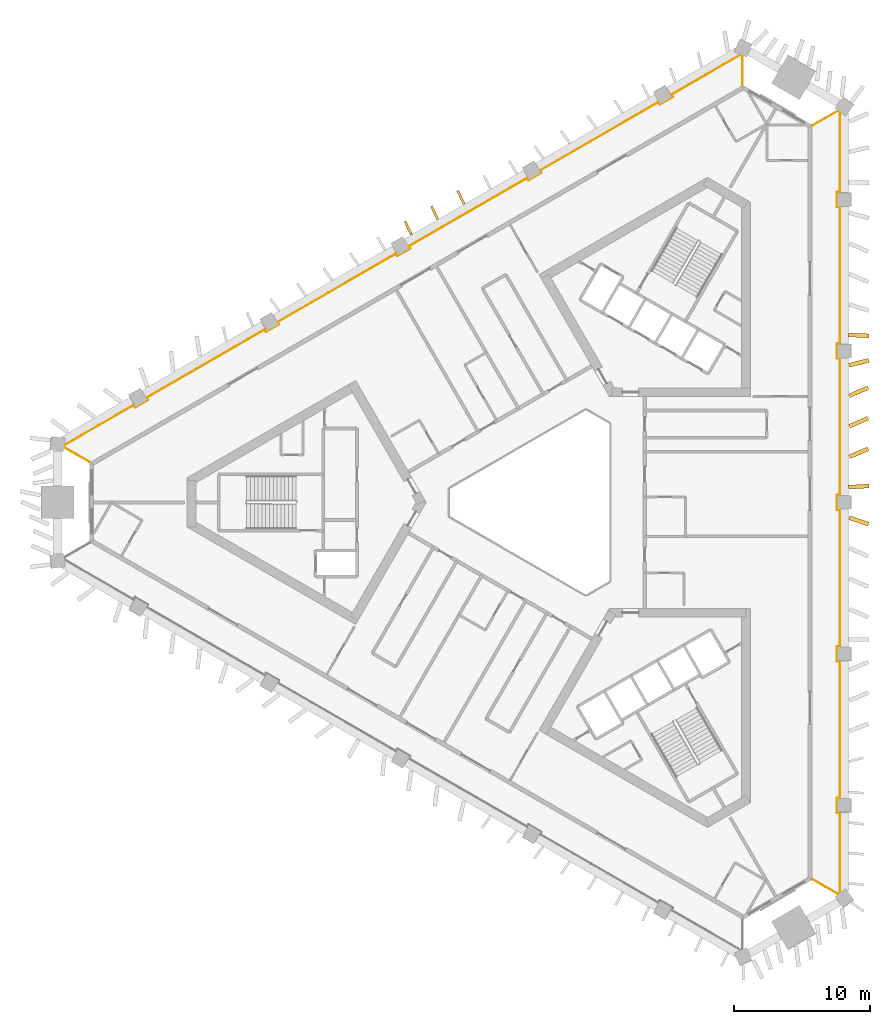
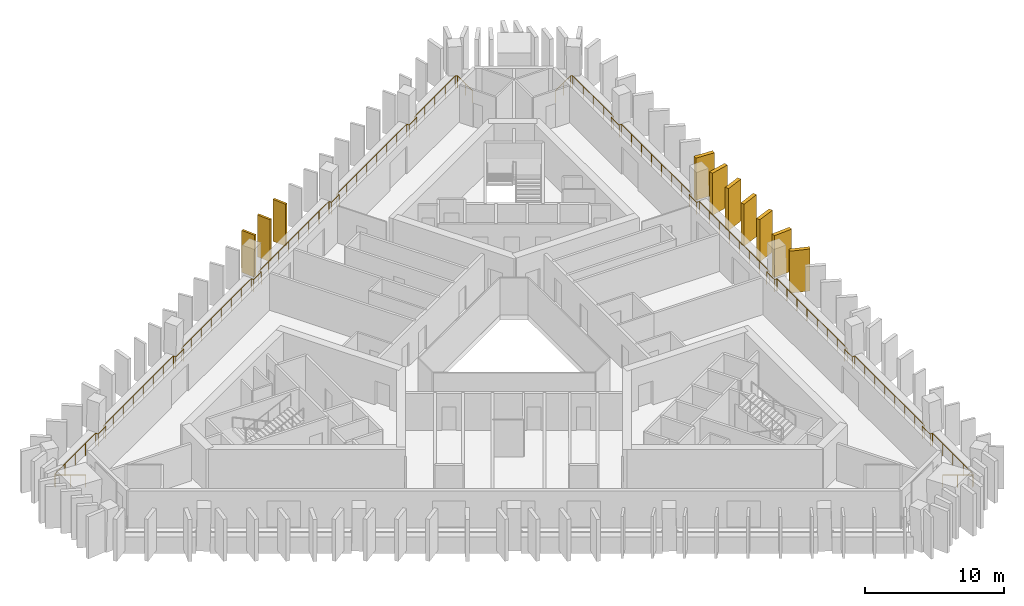
# One storey, part 9 of 10: 10 shading devices, 2 railings.
"""IFC4 building model written with IfcOpenShell, lengths in metres."""

from ifc_helpers import new_model, si_unit, direction, frame, frame_2d, origin, origin_2d, place, context, subcontext, project, spatial, rectangle, circle, extrude, material, layer, layer_set, type_object, element, save


model = new_model("IFC4")

# Units and contexts
model_context = context("Model", 3, precision=1e-05, world=origin(), true_north=direction((0.0, 1.0)))
body_context = subcontext(model_context, "Body", "Model", "MODEL_VIEW")
ifc_project = project(units=[si_unit("LENGTHUNIT", "METRE"), si_unit("AREAUNIT", "SQUARE_METRE"), si_unit("VOLUMEUNIT", "CUBIC_METRE"), si_unit("PLANEANGLEUNIT", "RADIAN"), si_unit("MASSUNIT", "GRAM", prefix="KILO")], contexts=[model_context])

# Site, building, storey
site_placement = place(None, origin())
site = spatial("IfcSite", under=ifc_project, at=site_placement, CompositionType="ELEMENT")
building_placement = place(site_placement, origin())
building = spatial("IfcBuilding", under=site, at=building_placement, Name="Jabali Bay Hotel Tower and Convention Centre", CompositionType="ELEMENT")
storey_placement = place(building_placement, frame((0.0, 0.0, 140.10009765625)))
storey = spatial("IfcBuildingStorey", under=building, at=storey_placement, Name="L34", CompositionType="ELEMENT", Elevation=140.10009765625)

# Railings
ifc_material_1 = material(Name="Glass", Category="glass")
railing_type = type_object("IfcRailingType", Name="Loggia glass guard 1100", PredefinedType="BALUSTRADE", material=ifc_material_1)
railing_1_placement = place(storey_placement, frame((94.477294921875, 107.77490234375, 0.0)))
element("IfcRailing", 1, at=railing_1_placement, inside=storey, type_object=railing_type, Name="Loggia glass guard L34", PredefinedType="BALUSTRADE", context=body_context, shape_type="SweptSolid", body=[
    extrude(circle(Radius=0.02490234375, at=origin_2d()), frame((0.0, 0.0, 1.0751953125), z_axis=(0.866007213464, 0.500031505235, 0.0), x_axis=(-0.495753666391, 0.858598401702, 0.13052619222)), (0.0, 0.0, 1.0), 2.165283203125),
    extrude(circle(Radius=0.02490234375, at=origin_2d()), frame((1.875244140625, 1.082763671875, 1.0751953125), z_axis=(0.800939455023, -0.598745346025, 0.0), x_axis=(0.593622996588, 0.794087306954, 0.13052619222)), (0.0, 0.0, 1.0), 0.15576171875),
    extrude(circle(Radius=0.02490234375, at=origin_2d()), frame((2.0, 0.989501953125, 1.0751953125), z_axis=(0.0, -1.0, 0.0), x_axis=(0.991444861374, 0.0, 0.13052619222)), (0.0, 0.0, 1.0), 5.882568359375),
    extrude(circle(Radius=0.02490234375, at=origin_2d()), frame((2.0, -4.89306640625, 1.0751953125), z_axis=(-1.0, 0.0, 0.0), x_axis=(0.0, -0.991444861374, 0.13052619222)), (0.0, 0.0, 1.0), 0.2001953125),
    extrude(circle(Radius=0.02490234375, at=origin_2d()), frame((1.7998046875, -4.89306640625, 1.0751953125), z_axis=(0.0, -1.0, 0.0), x_axis=(0.991444861374, 0.0, 0.13052619222)), (0.0, 0.0, 1.0), 1.10009765625),
    extrude(circle(Radius=0.02490234375, at=origin_2d()), frame((1.7998046875, -5.9931640625, 1.0751953125), z_axis=(1.0, 0.0, 0.0), x_axis=(0.0, 0.991444861374, 0.13052619222)), (0.0, 0.0, 1.0), 0.2001953125),
    extrude(circle(Radius=0.02490234375, at=origin_2d()), frame((2.0, -5.9931640625, 1.0751953125), z_axis=(0.0, -1.0, 0.0), x_axis=(0.991444861374, 0.0, 0.13052619222)), (0.0, 0.0, 1.0), 10.06591796875),
    extrude(circle(Radius=0.02490234375, at=origin_2d()), frame((2.0, -16.05908203125, 1.0751953125), z_axis=(-1.0, 0.0, 0.0), x_axis=(0.0, -0.991444861374, 0.13052619222)), (0.0, 0.0, 1.0), 0.2001953125),
    extrude(circle(Radius=0.02490234375, at=origin_2d()), frame((1.7998046875, -16.05908203125, 1.0751953125), z_axis=(0.0, -1.0, 0.0), x_axis=(0.991444861374, 0.0, 0.13052619222)), (0.0, 0.0, 1.0), 1.099853515625),
    extrude(circle(Radius=0.02490234375, at=origin_2d()), frame((1.7998046875, -17.158935546875, 1.0751953125), z_axis=(1.0, 0.0, 0.0), x_axis=(0.0, 0.991444861374, 0.13052619222)), (0.0, 0.0, 1.0), 0.2001953125),
    extrude(circle(Radius=0.02490234375, at=origin_2d()), frame((2.0, -17.158935546875, 1.0751953125), z_axis=(0.0, -1.0, 0.0), x_axis=(0.991444861374, 0.0, 0.13052619222)), (0.0, 0.0, 1.0), 10.06591796875),
    extrude(circle(Radius=0.02490234375, at=origin_2d()), frame((2.0, -27.224853515625, 1.0751953125), z_axis=(-1.0, 0.0, 0.0), x_axis=(0.0, -0.991444861374, 0.13052619222)), (0.0, 0.0, 1.0), 0.2001953125),
    extrude(circle(Radius=0.02490234375, at=origin_2d()), frame((1.7998046875, -27.224853515625, 1.0751953125), z_axis=(0.0, -1.0, 0.0), x_axis=(0.991444861374, 0.0, 0.13052619222)), (0.0, 0.0, 1.0), 1.10009765625),
    extrude(circle(Radius=0.02490234375, at=origin_2d()), frame((1.7998046875, -28.324951171875, 1.0751953125), z_axis=(1.0, 0.0, 0.0), x_axis=(0.0, 0.991444861374, 0.13052619222)), (0.0, 0.0, 1.0), 0.2001953125),
    extrude(circle(Radius=0.02490234375, at=origin_2d()), frame((2.0, -28.324951171875, 1.0751953125), z_axis=(0.0, -1.0, 0.0), x_axis=(0.991444861374, 0.0, 0.13052619222)), (0.0, 0.0, 1.0), 10.06591796875),
    extrude(circle(Radius=0.02490234375, at=origin_2d()), frame((2.0, -38.390869140625, 1.0751953125), z_axis=(-1.0, 0.0, 0.0), x_axis=(0.0, -0.991444861374, 0.13052619222)), (0.0, 0.0, 1.0), 0.2001953125),
    extrude(circle(Radius=0.02490234375, at=origin_2d()), frame((1.7998046875, -38.390869140625, 1.0751953125), z_axis=(0.0, -1.0, 0.0), x_axis=(0.991444861374, 0.0, 0.13052619222)), (0.0, 0.0, 1.0), 1.099853515625),
    extrude(circle(Radius=0.02490234375, at=origin_2d()), frame((1.7998046875, -39.49072265625, 1.0751953125), z_axis=(1.0, 0.0, 0.0), x_axis=(0.0, 0.991444861374, 0.13052619222)), (0.0, 0.0, 1.0), 0.2001953125),
    extrude(circle(Radius=0.02490234375, at=origin_2d()), frame((2.0, -39.49072265625, 1.0751953125), z_axis=(0.0, -1.0, 0.0), x_axis=(0.991444861374, 0.0, 0.13052619222)), (0.0, 0.0, 1.0), 10.06591796875),
    extrude(circle(Radius=0.02490234375, at=origin_2d()), frame((2.0, -49.556640625, 1.0751953125), z_axis=(-1.0, 0.0, 0.0), x_axis=(0.0, -0.991444861374, 0.13052619222)), (0.0, 0.0, 1.0), 0.2001953125),
    extrude(circle(Radius=0.02490234375, at=origin_2d()), frame((1.7998046875, -49.556640625, 1.0751953125), z_axis=(0.0, -1.0, 0.0), x_axis=(0.991444861374, 0.0, 0.13052619222)), (0.0, 0.0, 1.0), 1.10009765625),
    extrude(circle(Radius=0.02490234375, at=origin_2d()), frame((1.7998046875, -50.65673828125, 1.0751953125), z_axis=(1.0, 0.0, 0.0), x_axis=(0.0, 0.991444861374, 0.13052619222)), (0.0, 0.0, 1.0), 0.2001953125),
    extrude(circle(Radius=0.02490234375, at=origin_2d()), frame((2.0, -50.65673828125, 1.0751953125), z_axis=(0.0, -1.0, 0.0), x_axis=(0.991444861374, 0.0, 0.13052619222)), (0.0, 0.0, 1.0), 5.882568359375),
    extrude(circle(Radius=0.02490234375, at=origin_2d()), frame((2.0, -56.539306640625, 1.0751953125), z_axis=(-0.800939455023, -0.598745346025, 0.0), x_axis=(0.593622996588, -0.794087306954, 0.13052619222)), (0.0, 0.0, 1.0), 0.15576171875),
    extrude(circle(Radius=0.02490234375, at=origin_2d()), frame((1.875244140625, -56.632568359375, 1.0751953125), z_axis=(-0.866007213464, 0.500031505235, 0.0), x_axis=(-0.495753666391, -0.858598401702, 0.13052619222)), (0.0, 0.0, 1.0), 2.165283203125),
    extrude(circle(Radius=0.02001953125, at=origin_2d()), origin(), (0.0, 0.0, 1.0), 1.050048828125),
    extrude(circle(Radius=0.02001953125, at=origin_2d()), frame((0.9375, 0.54150390625, 0.0)), (0.0, 0.0, 1.0), 1.050048828125),
    extrude(circle(Radius=0.02001953125, at=origin_2d()), frame((1.875244140625, 1.082763671875, 0.0)), (0.0, 0.0, 1.0), 1.050048828125),
    extrude(circle(Radius=0.02001953125, at=origin_2d()), frame((2.0, 0.989501953125, 0.0)), (0.0, 0.0, 1.0), 1.050048828125),
    extrude(circle(Radius=0.02001953125, at=origin_2d()), frame((2.0, -0.481201171875, 0.0)), (0.0, 0.0, 1.0), 1.050048828125),
    extrude(circle(Radius=0.02001953125, at=origin_2d()), frame((2.0, -1.95166015625, 0.0)), (0.0, 0.0, 1.0), 1.050048828125),
    extrude(circle(Radius=0.02001953125, at=origin_2d()), frame((2.0, -3.42236328125, 0.0)), (0.0, 0.0, 1.0), 1.050048828125),
    extrude(circle(Radius=0.02001953125, at=origin_2d()), frame((2.0, -4.89306640625, 0.0)), (0.0, 0.0, 1.0), 1.050048828125),
    extrude(circle(Radius=0.02001953125, at=origin_2d()), frame((1.7998046875, -4.89306640625, 0.0)), (0.0, 0.0, 1.0), 1.050048828125),
    extrude(circle(Radius=0.02001953125, at=origin_2d()), frame((1.7998046875, -5.9931640625, 0.0)), (0.0, 0.0, 1.0), 1.050048828125),
    extrude(circle(Radius=0.02001953125, at=origin_2d()), frame((2.0, -5.9931640625, 0.0)), (0.0, 0.0, 1.0), 1.050048828125),
    extrude(circle(Radius=0.02001953125, at=origin_2d()), frame((2.0, -7.43115234375, 0.0)), (0.0, 0.0, 1.0), 1.050048828125),
    extrude(circle(Radius=0.02001953125, at=origin_2d()), frame((2.0, -8.869140625, 0.0)), (0.0, 0.0, 1.0), 1.050048828125),
    extrude(circle(Radius=0.02001953125, at=origin_2d()), frame((2.0, -10.30712890625, 0.0)), (0.0, 0.0, 1.0), 1.050048828125),
    extrude(circle(Radius=0.02001953125, at=origin_2d()), frame((2.0, -11.7451171875, 0.0)), (0.0, 0.0, 1.0), 1.050048828125),
    extrude(circle(Radius=0.02001953125, at=origin_2d()), frame((2.0, -13.18310546875, 0.0)), (0.0, 0.0, 1.0), 1.050048828125),
    extrude(circle(Radius=0.02001953125, at=origin_2d()), frame((2.0, -14.62109375, 0.0)), (0.0, 0.0, 1.0), 1.050048828125),
    extrude(circle(Radius=0.02001953125, at=origin_2d()), frame((2.0, -16.05908203125, 0.0)), (0.0, 0.0, 1.0), 1.050048828125),
    extrude(circle(Radius=0.02001953125, at=origin_2d()), frame((1.7998046875, -16.05908203125, 0.0)), (0.0, 0.0, 1.0), 1.050048828125),
    extrude(circle(Radius=0.02001953125, at=origin_2d()), frame((1.7998046875, -17.158935546875, 0.0)), (0.0, 0.0, 1.0), 1.050048828125),
    extrude(circle(Radius=0.02001953125, at=origin_2d()), frame((2.0, -17.158935546875, 0.0)), (0.0, 0.0, 1.0), 1.050048828125),
    extrude(circle(Radius=0.02001953125, at=origin_2d()), frame((2.0, -18.596923828125, 0.0)), (0.0, 0.0, 1.0), 1.050048828125),
    extrude(circle(Radius=0.02001953125, at=origin_2d()), frame((2.0, -20.034912109375, 0.0)), (0.0, 0.0, 1.0), 1.050048828125),
    extrude(circle(Radius=0.02001953125, at=origin_2d()), frame((2.0, -21.472900390625, 0.0)), (0.0, 0.0, 1.0), 1.050048828125),
    extrude(circle(Radius=0.02001953125, at=origin_2d()), frame((2.0, -22.910888671875, 0.0)), (0.0, 0.0, 1.0), 1.050048828125),
    extrude(circle(Radius=0.02001953125, at=origin_2d()), frame((2.0, -24.348876953125, 0.0)), (0.0, 0.0, 1.0), 1.050048828125),
    extrude(circle(Radius=0.02001953125, at=origin_2d()), frame((2.0, -25.786865234375, 0.0)), (0.0, 0.0, 1.0), 1.050048828125),
    extrude(circle(Radius=0.02001953125, at=origin_2d()), frame((2.0, -27.224853515625, 0.0)), (0.0, 0.0, 1.0), 1.050048828125),
    extrude(circle(Radius=0.02001953125, at=origin_2d()), frame((1.7998046875, -27.224853515625, 0.0)), (0.0, 0.0, 1.0), 1.050048828125),
    extrude(circle(Radius=0.02001953125, at=origin_2d()), frame((1.7998046875, -28.324951171875, 0.0)), (0.0, 0.0, 1.0), 1.050048828125),
    extrude(circle(Radius=0.02001953125, at=origin_2d()), frame((2.0, -28.324951171875, 0.0)), (0.0, 0.0, 1.0), 1.050048828125),
    extrude(circle(Radius=0.02001953125, at=origin_2d()), frame((2.0, -29.762939453125, 0.0)), (0.0, 0.0, 1.0), 1.050048828125),
    extrude(circle(Radius=0.02001953125, at=origin_2d()), frame((2.0, -31.200927734375, 0.0)), (0.0, 0.0, 1.0), 1.050048828125),
    extrude(circle(Radius=0.02001953125, at=origin_2d()), frame((2.0, -32.638916015625, 0.0)), (0.0, 0.0, 1.0), 1.050048828125),
    extrude(circle(Radius=0.02001953125, at=origin_2d()), frame((2.0, -34.076904296875, 0.0)), (0.0, 0.0, 1.0), 1.050048828125),
    extrude(circle(Radius=0.02001953125, at=origin_2d()), frame((2.0, -35.514892578125, 0.0)), (0.0, 0.0, 1.0), 1.050048828125),
    extrude(circle(Radius=0.02001953125, at=origin_2d()), frame((2.0, -36.952880859375, 0.0)), (0.0, 0.0, 1.0), 1.050048828125),
    extrude(circle(Radius=0.02001953125, at=origin_2d()), frame((2.0, -38.390869140625, 0.0)), (0.0, 0.0, 1.0), 1.050048828125),
    extrude(circle(Radius=0.02001953125, at=origin_2d()), frame((1.7998046875, -38.390869140625, 0.0)), (0.0, 0.0, 1.0), 1.050048828125),
    extrude(circle(Radius=0.02001953125, at=origin_2d()), frame((1.7998046875, -39.49072265625, 0.0)), (0.0, 0.0, 1.0), 1.050048828125),
    extrude(circle(Radius=0.02001953125, at=origin_2d()), frame((2.0, -39.49072265625, 0.0)), (0.0, 0.0, 1.0), 1.050048828125),
    extrude(circle(Radius=0.02001953125, at=origin_2d()), frame((2.0, -40.9287109375, 0.0)), (0.0, 0.0, 1.0), 1.050048828125),
    extrude(circle(Radius=0.02001953125, at=origin_2d()), frame((2.0, -42.36669921875, 0.0)), (0.0, 0.0, 1.0), 1.050048828125),
    extrude(circle(Radius=0.02001953125, at=origin_2d()), frame((2.0, -43.8046875, 0.0)), (0.0, 0.0, 1.0), 1.050048828125),
    extrude(circle(Radius=0.02001953125, at=origin_2d()), frame((2.0, -45.24267578125, 0.0)), (0.0, 0.0, 1.0), 1.050048828125),
    extrude(circle(Radius=0.02001953125, at=origin_2d()), frame((2.0, -46.6806640625, 0.0)), (0.0, 0.0, 1.0), 1.050048828125),
    extrude(circle(Radius=0.02001953125, at=origin_2d()), frame((2.0, -48.11865234375, 0.0)), (0.0, 0.0, 1.0), 1.050048828125),
    extrude(circle(Radius=0.02001953125, at=origin_2d()), frame((2.0, -49.556640625, 0.0)), (0.0, 0.0, 1.0), 1.050048828125),
    extrude(circle(Radius=0.02001953125, at=origin_2d()), frame((1.7998046875, -49.556640625, 0.0)), (0.0, 0.0, 1.0), 1.050048828125),
    extrude(circle(Radius=0.02001953125, at=origin_2d()), frame((1.7998046875, -50.65673828125, 0.0)), (0.0, 0.0, 1.0), 1.050048828125),
    extrude(circle(Radius=0.02001953125, at=origin_2d()), frame((2.0, -50.65673828125, 0.0)), (0.0, 0.0, 1.0), 1.050048828125),
    extrude(circle(Radius=0.02001953125, at=origin_2d()), frame((2.0, -52.12744140625, 0.0)), (0.0, 0.0, 1.0), 1.050048828125),
    extrude(circle(Radius=0.02001953125, at=origin_2d()), frame((2.0, -53.59814453125, 0.0)), (0.0, 0.0, 1.0), 1.050048828125),
    extrude(circle(Radius=0.02001953125, at=origin_2d()), frame((2.0, -55.068603515625, 0.0)), (0.0, 0.0, 1.0), 1.050048828125),
    extrude(circle(Radius=0.02001953125, at=origin_2d()), frame((2.0, -56.539306640625, 0.0)), (0.0, 0.0, 1.0), 1.050048828125),
    extrude(circle(Radius=0.02001953125, at=origin_2d()), frame((1.875244140625, -56.632568359375, 0.0)), (0.0, 0.0, 1.0), 1.050048828125),
    extrude(circle(Radius=0.02001953125, at=origin_2d()), frame((0.9375, -56.09130859375, 0.0)), (0.0, 0.0, 1.0), 1.050048828125),
    extrude(circle(Radius=0.02001953125, at=origin_2d()), frame((0.0, -55.5498046875, 0.0)), (0.0, 0.0, 1.0), 1.050048828125),
])
railing_2_placement = place(storey_placement, frame((41.20751953125, 82.980224609375, 0.0)))
element("IfcRailing", 2, at=railing_2_placement, inside=storey, type_object=railing_type, Name="Loggia glass guard L34", PredefinedType="BALUSTRADE", context=body_context, shape_type="SweptSolid", body=[
    extrude(circle(Radius=0.02490234375, at=origin_2d()), frame((0.0, 0.0, 1.0751953125), z_axis=(-0.866007213464, 0.500031505235, 0.0), x_axis=(-0.495753666391, -0.858598401702, 0.13052619222)), (0.0, 0.0, 1.0), 2.165283203125),
    extrude(circle(Radius=0.02490234375, at=origin_2d()), frame((-1.875244140625, 1.082763671875, 1.0751953125), z_axis=(0.119207070312, 0.99286941457, 0.0), x_axis=(-0.98437527909, 0.1181872373, 0.13052619222)), (0.0, 0.0, 1.0), 0.15576171875),
    extrude(circle(Radius=0.02490234375, at=origin_2d()), frame((-1.856689453125, 1.2373046875, 1.0751953125), z_axis=(0.866017641503, 0.500013444425, 0.0), x_axis=(-0.495735760093, 0.858608740527, 0.13052619222)), (0.0, 0.0, 1.0), 5.882568359375),
    extrude(circle(Radius=0.02490234375, at=origin_2d()), frame((3.23779296875, 4.1787109375, 1.0751953125), z_axis=(0.499687197852, -0.866205924883, 0.0), x_axis=(0.858795413117, 0.495412304605, 0.13052619222)), (0.0, 0.0, 1.0), 0.199951171875),
    extrude(circle(Radius=0.02490234375, at=origin_2d()), frame((3.337646484375, 4.005615234375, 1.0751953125), z_axis=(0.866104278045, 0.499863360881, 0.0), x_axis=(-0.495586960535, 0.858694635882, 0.13052619222)), (0.0, 0.0, 1.0), 1.099853515625),
    extrude(circle(Radius=0.02490234375, at=origin_2d()), frame((4.290283203125, 4.555419921875, 1.0751953125), z_axis=(-0.499158860599, 0.866510491504, 0.0), x_axis=(-0.859097374128, -0.49488848735, 0.13052619222)), (0.0, 0.0, 1.0), 0.199951171875),
    extrude(circle(Radius=0.02490234375, at=origin_2d()), frame((4.1904296875, 4.728759765625, 1.0751953125), z_axis=(0.866024024936, 0.500002388228, 0.0), x_axis=(-0.495724798483, 0.858615069349, 0.13052619222)), (0.0, 0.0, 1.0), 10.06591796875),
    extrude(circle(Radius=0.02490234375, at=origin_2d()), frame((12.90771484375, 9.76171875, 1.0751953125), z_axis=(0.499158860599, -0.866510491504, 0.0), x_axis=(0.859097374128, 0.49488848735, 0.13052619222)), (0.0, 0.0, 1.0), 0.199951171875),
    extrude(circle(Radius=0.02490234375, at=origin_2d()), frame((13.007568359375, 9.58837890625, 1.0751953125), z_axis=(0.866008176907, 0.50002983664, 0.0), x_axis=(-0.495752012071, 0.858599356902, 0.13052619222)), (0.0, 0.0, 1.0), 1.10009765625),
    extrude(circle(Radius=0.02490234375, at=origin_2d()), frame((13.960205078125, 10.138427734375, 1.0751953125), z_axis=(-0.499687197852, 0.866205924883, 0.0), x_axis=(-0.858795413117, -0.495412304605, 0.13052619222)), (0.0, 0.0, 1.0), 0.199951171875),
    extrude(circle(Radius=0.02490234375, at=origin_2d()), frame((13.8603515625, 10.3115234375, 1.0751953125), z_axis=(0.866024024936, 0.500002388228, 0.0), x_axis=(-0.495724798483, 0.858615069349, 0.13052619222)), (0.0, 0.0, 1.0), 10.06591796875),
    extrude(circle(Radius=0.02490234375, at=origin_2d()), frame((22.57763671875, 15.344482421875, 1.0751953125), z_axis=(0.499687197852, -0.866205924883, 0.0), x_axis=(0.858795413117, 0.495412304605, 0.13052619222)), (0.0, 0.0, 1.0), 0.199951171875),
    extrude(circle(Radius=0.02490234375, at=origin_2d()), frame((22.677490234375, 15.17138671875, 1.0751953125), z_axis=(0.866008176907, 0.50002983664, 0.0), x_axis=(-0.495752012071, 0.858599356902, 0.13052619222)), (0.0, 0.0, 1.0), 1.10009765625),
    extrude(circle(Radius=0.02490234375, at=origin_2d()), frame((23.630126953125, 15.721435546875, 1.0751953125), z_axis=(-0.499687197852, 0.866205924883, 0.0), x_axis=(-0.858795413117, -0.495412304605, 0.13052619222)), (0.0, 0.0, 1.0), 0.199951171875),
    extrude(circle(Radius=0.02490234375, at=origin_2d()), frame((23.5302734375, 15.89453125, 1.0751953125), z_axis=(0.866024024936, 0.500002388228, 0.0), x_axis=(-0.495724798483, 0.858615069349, 0.13052619222)), (0.0, 0.0, 1.0), 10.06591796875),
    extrude(circle(Radius=0.02490234375, at=origin_2d()), frame((32.24755859375, 20.927490234375, 1.0751953125), z_axis=(0.499687197852, -0.866205924883, 0.0), x_axis=(0.858795413117, 0.495412304605, 0.13052619222)), (0.0, 0.0, 1.0), 0.199951171875),
    extrude(circle(Radius=0.02490234375, at=origin_2d()), frame((32.347412109375, 20.75439453125, 1.0751953125), z_axis=(0.866104278045, 0.499863360881, 0.0), x_axis=(-0.495586960535, 0.858694635882, 0.13052619222)), (0.0, 0.0, 1.0), 1.099853515625),
    extrude(circle(Radius=0.02490234375, at=origin_2d()), frame((33.300048828125, 21.30419921875, 1.0751953125), z_axis=(-0.499158860599, 0.866510491504, 0.0), x_axis=(-0.859097374128, -0.49488848735, 0.13052619222)), (0.0, 0.0, 1.0), 0.199951171875),
    extrude(circle(Radius=0.02490234375, at=origin_2d()), frame((33.2001953125, 21.4775390625, 1.0751953125), z_axis=(0.866024024936, 0.500002388228, 0.0), x_axis=(-0.495724798483, 0.858615069349, 0.13052619222)), (0.0, 0.0, 1.0), 10.06591796875),
    extrude(circle(Radius=0.02490234375, at=origin_2d()), frame((41.91748046875, 26.510498046875, 1.0751953125), z_axis=(0.499158860599, -0.866510491504, 0.0), x_axis=(0.859097374128, 0.49488848735, 0.13052619222)), (0.0, 0.0, 1.0), 0.199951171875),
    extrude(circle(Radius=0.02490234375, at=origin_2d()), frame((42.017333984375, 26.337158203125, 1.0751953125), z_axis=(0.866008176907, 0.50002983664, 0.0), x_axis=(-0.495752012071, 0.858599356902, 0.13052619222)), (0.0, 0.0, 1.0), 1.10009765625),
    extrude(circle(Radius=0.02490234375, at=origin_2d()), frame((42.969970703125, 26.88720703125, 1.0751953125), z_axis=(-0.499158860599, 0.866510491504, 0.0), x_axis=(-0.859097374128, -0.49488848735, 0.13052619222)), (0.0, 0.0, 1.0), 0.199951171875),
    extrude(circle(Radius=0.02490234375, at=origin_2d()), frame((42.8701171875, 27.060546875, 1.0751953125), z_axis=(0.866035612436, 0.49998231768, 0.0), x_axis=(-0.495704899641, 0.858626557717, 0.13052619222)), (0.0, 0.0, 1.0), 5.882568359375),
    extrude(circle(Radius=0.02490234375, at=origin_2d()), frame((47.964599609375, 30.001708984375, 1.0751953125), z_axis=(0.919226147347, -0.393729970962, 0.0), x_axis=(0.39036155648, 0.911362040227, 0.13052619222)), (0.0, 0.0, 1.0), 0.155517578125),
    extrude(circle(Radius=0.02490234375, at=origin_2d()), frame((48.107666015625, 29.9404296875, 1.0751953125), z_axis=(0.0, -1.0, 0.0), x_axis=(0.991444861374, 0.0, 0.13052619222)), (0.0, 0.0, 1.0), 2.16552734375),
    extrude(circle(Radius=0.02001953125, at=origin_2d()), origin(), (0.0, 0.0, 1.0), 1.050048828125),
    extrude(circle(Radius=0.02001953125, at=origin_2d()), frame((-0.9375, 0.54150390625, 0.0)), (0.0, 0.0, 1.0), 1.050048828125),
    extrude(circle(Radius=0.02001953125, at=origin_2d()), frame((-1.875244140625, 1.082763671875, 0.0)), (0.0, 0.0, 1.0), 1.050048828125),
    extrude(circle(Radius=0.02001953125, at=origin_2d()), frame((-1.856689453125, 1.2373046875, 0.0)), (0.0, 0.0, 1.0), 1.050048828125),
    extrude(circle(Radius=0.02001953125, at=origin_2d()), frame((-0.5830078125, 1.97265625, 0.0)), (0.0, 0.0, 1.0), 1.050048828125),
    extrude(circle(Radius=0.02001953125, at=origin_2d()), frame((0.6904296875, 2.7080078125, 0.0)), (0.0, 0.0, 1.0), 1.050048828125),
    extrude(circle(Radius=0.02001953125, at=origin_2d()), frame((1.964111328125, 3.443359375, 0.0)), (0.0, 0.0, 1.0), 1.050048828125),
    extrude(circle(Radius=0.02001953125, at=origin_2d()), frame((3.23779296875, 4.1787109375, 0.0)), (0.0, 0.0, 1.0), 1.050048828125),
    extrude(circle(Radius=0.02001953125, at=origin_2d()), frame((3.337646484375, 4.005615234375, 0.0)), (0.0, 0.0, 1.0), 1.050048828125),
    extrude(circle(Radius=0.02001953125, at=origin_2d()), frame((4.290283203125, 4.555419921875, 0.0)), (0.0, 0.0, 1.0), 1.050048828125),
    extrude(circle(Radius=0.02001953125, at=origin_2d()), frame((4.1904296875, 4.728759765625, 0.0)), (0.0, 0.0, 1.0), 1.050048828125),
    extrude(circle(Radius=0.02001953125, at=origin_2d()), frame((5.435791015625, 5.44775390625, 0.0)), (0.0, 0.0, 1.0), 1.050048828125),
    extrude(circle(Radius=0.02001953125, at=origin_2d()), frame((6.68115234375, 6.166748046875, 0.0)), (0.0, 0.0, 1.0), 1.050048828125),
    extrude(circle(Radius=0.02001953125, at=origin_2d()), frame((7.926513671875, 6.8857421875, 0.0)), (0.0, 0.0, 1.0), 1.050048828125),
    extrude(circle(Radius=0.02001953125, at=origin_2d()), frame((9.171630859375, 7.604736328125, 0.0)), (0.0, 0.0, 1.0), 1.050048828125),
    extrude(circle(Radius=0.02001953125, at=origin_2d()), frame((10.4169921875, 8.32373046875, 0.0)), (0.0, 0.0, 1.0), 1.050048828125),
    extrude(circle(Radius=0.02001953125, at=origin_2d()), frame((11.662353515625, 9.042724609375, 0.0)), (0.0, 0.0, 1.0), 1.050048828125),
    extrude(circle(Radius=0.02001953125, at=origin_2d()), frame((12.90771484375, 9.76171875, 0.0)), (0.0, 0.0, 1.0), 1.050048828125),
    extrude(circle(Radius=0.02001953125, at=origin_2d()), frame((13.007568359375, 9.58837890625, 0.0)), (0.0, 0.0, 1.0), 1.050048828125),
    extrude(circle(Radius=0.02001953125, at=origin_2d()), frame((13.960205078125, 10.138427734375, 0.0)), (0.0, 0.0, 1.0), 1.050048828125),
    extrude(circle(Radius=0.02001953125, at=origin_2d()), frame((13.8603515625, 10.3115234375, 0.0)), (0.0, 0.0, 1.0), 1.050048828125),
    extrude(circle(Radius=0.02001953125, at=origin_2d()), frame((15.105712890625, 11.030517578125, 0.0)), (0.0, 0.0, 1.0), 1.050048828125),
    extrude(circle(Radius=0.02001953125, at=origin_2d()), frame((16.35107421875, 11.74951171875, 0.0)), (0.0, 0.0, 1.0), 1.050048828125),
    extrude(circle(Radius=0.02001953125, at=origin_2d()), frame((17.596435546875, 12.468505859375, 0.0)), (0.0, 0.0, 1.0), 1.050048828125),
    extrude(circle(Radius=0.02001953125, at=origin_2d()), frame((18.841552734375, 13.1875, 0.0)), (0.0, 0.0, 1.0), 1.050048828125),
    extrude(circle(Radius=0.02001953125, at=origin_2d()), frame((20.0869140625, 13.906494140625, 0.0)), (0.0, 0.0, 1.0), 1.050048828125),
    extrude(circle(Radius=0.02001953125, at=origin_2d()), frame((21.332275390625, 14.62548828125, 0.0)), (0.0, 0.0, 1.0), 1.050048828125),
    extrude(circle(Radius=0.02001953125, at=origin_2d()), frame((22.57763671875, 15.344482421875, 0.0)), (0.0, 0.0, 1.0), 1.050048828125),
    extrude(circle(Radius=0.02001953125, at=origin_2d()), frame((22.677490234375, 15.17138671875, 0.0)), (0.0, 0.0, 1.0), 1.050048828125),
    extrude(circle(Radius=0.02001953125, at=origin_2d()), frame((23.630126953125, 15.721435546875, 0.0)), (0.0, 0.0, 1.0), 1.050048828125),
    extrude(circle(Radius=0.02001953125, at=origin_2d()), frame((23.5302734375, 15.89453125, 0.0)), (0.0, 0.0, 1.0), 1.050048828125),
    extrude(circle(Radius=0.02001953125, at=origin_2d()), frame((24.775634765625, 16.613525390625, 0.0)), (0.0, 0.0, 1.0), 1.050048828125),
    extrude(circle(Radius=0.02001953125, at=origin_2d()), frame((26.02099609375, 17.33251953125, 0.0)), (0.0, 0.0, 1.0), 1.050048828125),
    extrude(circle(Radius=0.02001953125, at=origin_2d()), frame((27.266357421875, 18.051513671875, 0.0)), (0.0, 0.0, 1.0), 1.050048828125),
    extrude(circle(Radius=0.02001953125, at=origin_2d()), frame((28.511474609375, 18.7705078125, 0.0)), (0.0, 0.0, 1.0), 1.050048828125),
    extrude(circle(Radius=0.02001953125, at=origin_2d()), frame((29.7568359375, 19.489501953125, 0.0)), (0.0, 0.0, 1.0), 1.050048828125),
    extrude(circle(Radius=0.02001953125, at=origin_2d()), frame((31.002197265625, 20.20849609375, 0.0)), (0.0, 0.0, 1.0), 1.050048828125),
    extrude(circle(Radius=0.02001953125, at=origin_2d()), frame((32.24755859375, 20.927490234375, 0.0)), (0.0, 0.0, 1.0), 1.050048828125),
    extrude(circle(Radius=0.02001953125, at=origin_2d()), frame((32.347412109375, 20.75439453125, 0.0)), (0.0, 0.0, 1.0), 1.050048828125),
    extrude(circle(Radius=0.02001953125, at=origin_2d()), frame((33.300048828125, 21.30419921875, 0.0)), (0.0, 0.0, 1.0), 1.050048828125),
    extrude(circle(Radius=0.02001953125, at=origin_2d()), frame((33.2001953125, 21.4775390625, 0.0)), (0.0, 0.0, 1.0), 1.050048828125),
    extrude(circle(Radius=0.02001953125, at=origin_2d()), frame((34.445556640625, 22.196533203125, 0.0)), (0.0, 0.0, 1.0), 1.050048828125),
    extrude(circle(Radius=0.02001953125, at=origin_2d()), frame((35.69091796875, 22.91552734375, 0.0)), (0.0, 0.0, 1.0), 1.050048828125),
    extrude(circle(Radius=0.02001953125, at=origin_2d()), frame((36.936279296875, 23.634521484375, 0.0)), (0.0, 0.0, 1.0), 1.050048828125),
    extrude(circle(Radius=0.02001953125, at=origin_2d()), frame((38.181396484375, 24.353515625, 0.0)), (0.0, 0.0, 1.0), 1.050048828125),
    extrude(circle(Radius=0.02001953125, at=origin_2d()), frame((39.4267578125, 25.072509765625, 0.0)), (0.0, 0.0, 1.0), 1.050048828125),
    extrude(circle(Radius=0.02001953125, at=origin_2d()), frame((40.672119140625, 25.79150390625, 0.0)), (0.0, 0.0, 1.0), 1.050048828125),
    extrude(circle(Radius=0.02001953125, at=origin_2d()), frame((41.91748046875, 26.510498046875, 0.0)), (0.0, 0.0, 1.0), 1.050048828125),
    extrude(circle(Radius=0.02001953125, at=origin_2d()), frame((42.017333984375, 26.337158203125, 0.0)), (0.0, 0.0, 1.0), 1.050048828125),
    extrude(circle(Radius=0.02001953125, at=origin_2d()), frame((42.969970703125, 26.88720703125, 0.0)), (0.0, 0.0, 1.0), 1.050048828125),
    extrude(circle(Radius=0.02001953125, at=origin_2d()), frame((42.8701171875, 27.060546875, 0.0)), (0.0, 0.0, 1.0), 1.050048828125),
    extrude(circle(Radius=0.02001953125, at=origin_2d()), frame((44.143798828125, 27.7958984375, 0.0)), (0.0, 0.0, 1.0), 1.050048828125),
    extrude(circle(Radius=0.02001953125, at=origin_2d()), frame((45.41748046875, 28.53125, 0.0)), (0.0, 0.0, 1.0), 1.050048828125),
    extrude(circle(Radius=0.02001953125, at=origin_2d()), frame((46.69091796875, 29.266357421875, 0.0)), (0.0, 0.0, 1.0), 1.050048828125),
    extrude(circle(Radius=0.02001953125, at=origin_2d()), frame((47.964599609375, 30.001708984375, 0.0)), (0.0, 0.0, 1.0), 1.050048828125),
    extrude(circle(Radius=0.02001953125, at=origin_2d()), frame((48.107666015625, 29.9404296875, 0.0)), (0.0, 0.0, 1.0), 1.050048828125),
    extrude(circle(Radius=0.02001953125, at=origin_2d()), frame((48.107666015625, 28.857666015625, 0.0)), (0.0, 0.0, 1.0), 1.050048828125),
    extrude(circle(Radius=0.02001953125, at=origin_2d()), frame((48.107666015625, 27.77490234375, 0.0)), (0.0, 0.0, 1.0), 1.050048828125),
])

# Shading devices
ifc_material_2 = material(Name="Precast concrete C60", Category="concrete")
ifc_layer_1 = layer(ifc_material_2, 0.179931640625)
ifc_layer_set_1 = layer_set([ifc_layer_1], Name="Precast concrete C60")
shading_device_type_1 = type_object("IfcShadingDeviceType", Name="Precast fin 3680 x 1100", PredefinedType="USERDEFINED", material=ifc_layer_set_1)
for number, where, z_axis, x_axis, name in (
    (3, (68.7978515625, 101.96923828125, 0.010009765625), (0.0, 0.0, 1.0), (-0.427218003687, 0.904148647804, 0.0), "Fin L34 044"),
    (4, (66.853271484375, 100.846435546875, 0.010009765625), (0.0, 0.0, 1.0), (-0.427218003687, 0.904148647804, 0.0), "Fin L34 045"),
):
    element("IfcShadingDevice", number, at=place(storey_placement, frame(where, z_axis=z_axis, x_axis=x_axis)), inside=storey, type_object=shading_device_type_1, Name=name, ObjectType="FIN", PredefinedType="USERDEFINED", context=body_context, shape_type="SweptSolid", body=[
        extrude(rectangle(XDim=1.10009765625, YDim=0.179931640625, at=frame_2d((0.550048828125, 0.0))), origin(), (0.0, 0.0, 1.0), 3.679931640625),
    ])
shading_device_1_placement = place(storey_placement, frame((64.90869140625, 99.723876953125, 0.010009765625), z_axis=(0.0, 0.0, 1.0), x_axis=(-0.427036552319, 0.904234362863, 0.0)))
element("IfcShadingDevice", 5, at=shading_device_1_placement, inside=storey, type_object=shading_device_type_1, Name="Fin L34 046", ObjectType="FIN", PredefinedType="USERDEFINED", context=body_context, shape_type="SweptSolid", body=[
    extrude(rectangle(XDim=1.099853515625, YDim=0.179931640625, at=frame_2d((0.5498046875, 0.0))), origin(), (0.0, 0.0, 1.0), 3.679931640625),
])
ifc_layer_2 = layer(ifc_material_2, 0.300048828125)
ifc_layer_set_2 = layer_set([ifc_layer_2], Name="Precast concrete C60")
shading_device_type_2 = type_object("IfcShadingDeviceType", Name="Precast fin 3680 x 1500", PredefinedType="USERDEFINED", material=ifc_layer_set_2)
for number, where, z_axis, x_axis, name in (
    (6, (97.167724609375, 78.87744140625, 0.010009765625), (0.0, 0.0, 1.0), (0.94709271598, -0.320960102408, 0.0), "Fin L34 012"),
    (7, (97.12939453125, 81.12255859375, 0.010009765625), (0.0, 0.0, 1.0), (0.997889057947, 0.06494172796, 0.0), "Fin L34 013"),
):
    element("IfcShadingDevice", number, at=place(storey_placement, frame(where, z_axis=z_axis, x_axis=x_axis)), inside=storey, type_object=shading_device_type_2, Name=name, ObjectType="FIN", PredefinedType="USERDEFINED", context=body_context, shape_type="SweptSolid", body=[
        extrude(rectangle(XDim=1.5, YDim=0.300048828125, at=frame_2d((0.75, 0.0))), origin(), (0.0, 0.0, 1.0), 3.679931640625),
    ])
shading_device_2_placement = place(storey_placement, frame((97.177490234375, 83.367919921875, 0.010009765625), z_axis=(0.0, 0.0, 1.0), x_axis=(0.922420766007, 0.38618639339, 0.0)))
element("IfcShadingDevice", 8, at=shading_device_2_placement, inside=storey, type_object=shading_device_type_2, Name="Fin L34 014", ObjectType="FIN", PredefinedType="USERDEFINED", context=body_context, shape_type="SweptSolid", body=[
    extrude(rectangle(XDim=1.500244140625, YDim=0.300048828125, at=frame_2d((0.75, 0.0))), origin(), (0.0, 0.0, 1.0), 3.679931640625),
])
for number, where, z_axis, x_axis, name in (
    (9, (97.17919921875, 85.61328125, 0.010009765625), (0.0, 0.0, 1.0), (0.917682260148, 0.39731507574, 0.0), "Fin L34 015"),
    (10, (97.17919921875, 87.858642578125, 0.010009765625), (0.0, 0.0, 1.0), (0.917682260148, 0.39731507574, 0.0), "Fin L34 016"),
):
    element("IfcShadingDevice", number, at=place(storey_placement, frame(where, z_axis=z_axis, x_axis=x_axis)), inside=storey, type_object=shading_device_type_2, Name=name, ObjectType="FIN", PredefinedType="USERDEFINED", context=body_context, shape_type="SweptSolid", body=[
        extrude(rectangle(XDim=1.5, YDim=0.300048828125, at=frame_2d((0.75, 0.0))), origin(), (0.0, 0.0, 1.0), 3.679931640625),
    ])
shading_device_3_placement = place(storey_placement, frame((97.15673828125, 90.10400390625, 0.010009765625), z_axis=(0.0, 0.0, 1.0), x_axis=(0.969031340007, 0.246937769661, 0.0)))
element("IfcShadingDevice", 11, at=shading_device_3_placement, inside=storey, type_object=shading_device_type_2, Name="Fin L34 017", ObjectType="FIN", PredefinedType="USERDEFINED", context=body_context, shape_type="SweptSolid", body=[
    extrude(rectangle(XDim=1.499755859375, YDim=0.300048828125, at=frame_2d((0.75, 0.0))), origin(), (0.0, 0.0, 1.0), 3.679931640625),
])
shading_device_4_placement = place(storey_placement, frame((97.12744140625, 92.349365234375, 0.010009765625), z_axis=(0.0, 0.0, 1.0), x_axis=(0.998625909971, -0.052405075458, 0.0)))
element("IfcShadingDevice", 12, at=shading_device_4_placement, inside=storey, type_object=shading_device_type_2, Name="Fin L34 018", ObjectType="FIN", PredefinedType="USERDEFINED", context=body_context, shape_type="SweptSolid", body=[
    extrude(rectangle(XDim=1.5, YDim=0.300048828125, at=frame_2d((0.75, 0.0))), origin(), (0.0, 0.0, 1.0), 3.679931640625),
])

save(model, "model.ifc")
